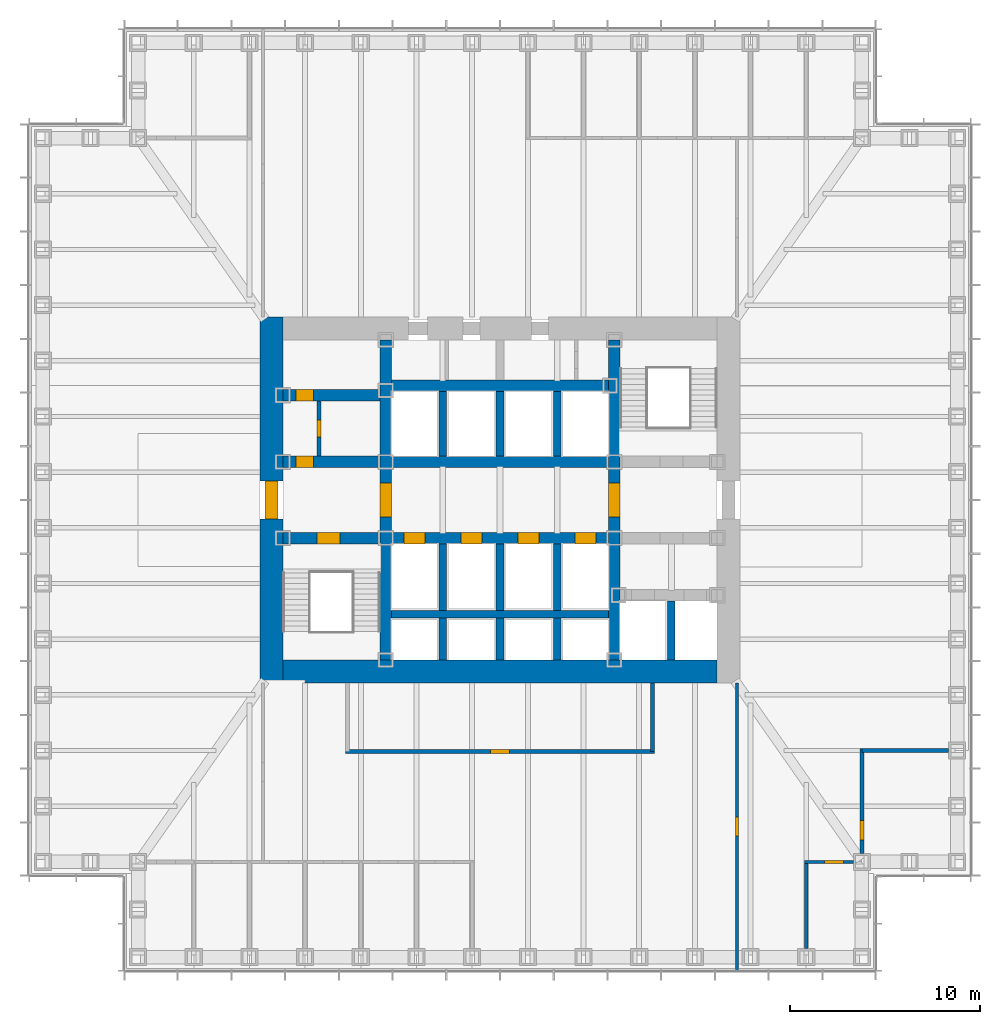
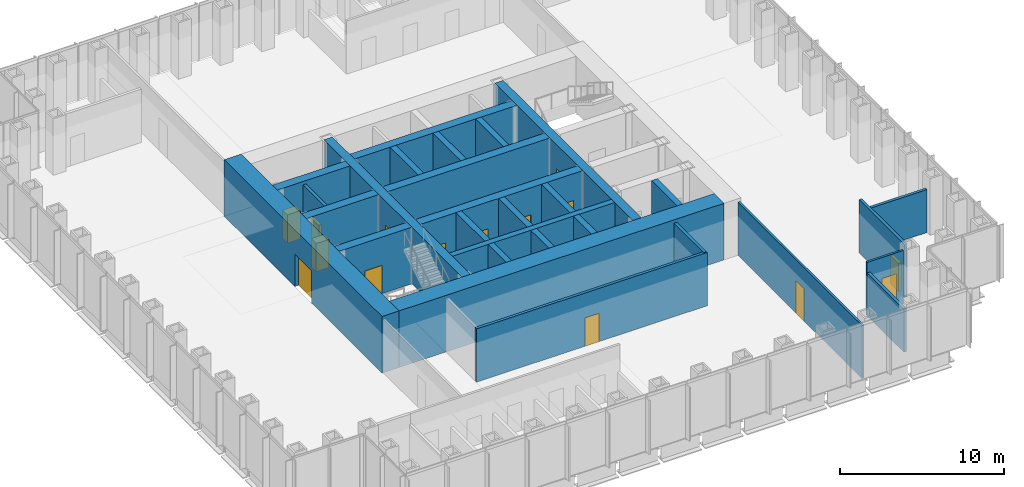
# One storey, part 9 of 17: 29 walls, 15 doors, 15 openings.
"""IFC4 building model written with IfcOpenShell, lengths in metres."""

from ifc_helpers import new_model, si_unit, direction, frame, frame_2d, origin, place, context, subcontext, project, spatial, rectangle, extrude, material, layer, layer_set, type_object, element, fill, save


model = new_model("IFC4")

# Units and contexts
model_context = context("Model", 3, precision=1e-05, world=origin(), true_north=direction((0.0, 1.0)))
body_context = subcontext(model_context, "Body", "Model", "MODEL_VIEW")
ifc_project = project(units=[si_unit("LENGTHUNIT", "METRE"), si_unit("AREAUNIT", "SQUARE_METRE"), si_unit("VOLUMEUNIT", "CUBIC_METRE"), si_unit("PLANEANGLEUNIT", "RADIAN"), si_unit("MASSUNIT", "GRAM", prefix="KILO")], contexts=[model_context])

# Site, building, storey
site_placement = place(None, origin())
site = spatial("IfcSite", under=ifc_project, at=site_placement, CompositionType="ELEMENT")
building_placement = place(site_placement, origin())
building = spatial("IfcBuilding", under=site, at=building_placement, Name="Daluyong Arena Tower", CompositionType="ELEMENT")
storey_placement = place(building_placement, frame((0.0, 0.0, 97.89990234375)))
storey = spatial("IfcBuildingStorey", under=building, at=storey_placement, Name="L21", CompositionType="ELEMENT", Elevation=97.89990234375)

# Wall, opening, door
ifc_material_1 = material(Name="Concrete fc' 60 MPa", Category="concrete")
ifc_layer_1 = layer(ifc_material_1, 0.60009765625)
ifc_layer_set_1 = layer_set([ifc_layer_1], Name="Concrete fc' 60 MPa")
wall_type_1 = type_object("IfcWallType", Name="Core inner wall 600", PredefinedType="SHEAR", material=ifc_layer_set_1)
wall_1_placement = place(storey_placement, frame((50.0, 71.60009765625, 0.0), z_axis=(0.0, 0.0, 1.0), x_axis=(0.0, 1.0, 0.0)))
wall_1 = element("IfcWall", 1, at=wall_1_placement, inside=storey, type_object=wall_type_1, Name="core inner wall at L21", PredefinedType="SHEAR", context=body_context, shape_type="SweptSolid", body=[
    extrude(rectangle(XDim=16.7998046875, YDim=0.60009765625, at=frame_2d((8.39990234375, 0.0))), origin(), (0.0, 0.0, 1.0), 4.2001953125),
])
opening_1_placement = place(wall_1_placement, frame((7.5, 0.0, 0.0)))
opening_1 = element("IfcOpeningElement", 2, at=opening_1_placement, cuts=wall_1, Name="Opening 21012", PredefinedType="OPENING", context=body_context, shape_type="SweptSolid", body=[
    extrude(rectangle(XDim=1.800048828125, YDim=2.39990234375, at=frame_2d((0.89990234375, 1.199951171875))), frame((0.0, 0.31005859375, 0.0), z_axis=(0.0, -1.0, 0.0), x_axis=(1.0, 0.0, 0.0)), (0.0, 0.0, 1.0), 0.6201171875),
])
ifc_material_2 = material(Name="Steel door, fire rated", Category="steel")
door_type_1 = type_object("IfcDoorType", Name="Lift lobby opening door 1800", OperationType="DOUBLE_DOOR_SINGLE_SWING", PredefinedType="DOOR", material=ifc_material_2)
door_1_placement = place(opening_1_placement, origin())
door_1 = element("IfcDoor", 3, at=door_1_placement, inside=storey, type_object=door_type_1, Name="lift lobby door west 21012", OperationType="DOUBLE_DOOR_SINGLE_SWING", OverallHeight=2.39990234375, OverallWidth=1.800048828125, PredefinedType="DOOR", context=body_context, shape_type="SweptSolid", body=[
    extrude(rectangle(XDim=1.800048828125, YDim=2.39990234375, at=frame_2d((0.89990234375, 1.199951171875))), frame((0.0, 0.2998046875, 0.0), z_axis=(0.0, -1.0, 0.0), x_axis=(1.0, 0.0, 0.0)), (0.0, 0.0, 1.0), 0.599609375),
])
fill(opening_1, door_1)

wall_2_placement = place(storey_placement, frame((62.0, 71.60009765625, 0.0), z_axis=(0.0, 0.0, 1.0), x_axis=(0.0, 1.0, 0.0)))
wall_2 = element("IfcWall", 4, at=wall_2_placement, inside=storey, type_object=wall_type_1, Name="core inner wall at L21", PredefinedType="SHEAR", context=body_context, shape_type="SweptSolid", body=[
    extrude(rectangle(XDim=16.7998046875, YDim=0.60009765625, at=frame_2d((8.39990234375, 0.0))), origin(), (0.0, 0.0, 1.0), 4.2001953125),
])
opening_2_placement = place(wall_2_placement, frame((7.5, 0.0, 0.0)))
opening_2 = element("IfcOpeningElement", 5, at=opening_2_placement, cuts=wall_2, Name="Opening 21013", PredefinedType="OPENING", context=body_context, shape_type="SweptSolid", body=[
    extrude(rectangle(XDim=1.800048828125, YDim=2.39990234375, at=frame_2d((0.89990234375, 1.199951171875))), frame((0.0, 0.31005859375, 0.0), z_axis=(0.0, -1.0, 0.0), x_axis=(1.0, 0.0, 0.0)), (0.0, 0.0, 1.0), 0.6201171875),
])
door_2_placement = place(opening_2_placement, origin())
door_2 = element("IfcDoor", 6, at=door_2_placement, inside=storey, type_object=door_type_1, Name="lift lobby door east 21013", OperationType="DOUBLE_DOOR_SINGLE_SWING", OverallHeight=2.39990234375, OverallWidth=1.800048828125, PredefinedType="DOOR", context=body_context, shape_type="SweptSolid", body=[
    extrude(rectangle(XDim=1.800048828125, YDim=2.39990234375, at=frame_2d((0.89990234375, 1.199951171875))), frame((0.0, 0.2998046875, 0.0), z_axis=(0.0, -1.0, 0.0), x_axis=(1.0, 0.0, 0.0)), (0.0, 0.0, 1.0), 0.599609375),
])
fill(opening_2, door_2)

wall_3_placement = place(storey_placement, frame((44.60009765625, 78.0, 0.0), z_axis=(0.0, 0.0, 1.0), x_axis=(1.0, 0.0, 0.0)))
wall_3 = element("IfcWall", 7, at=wall_3_placement, inside=storey, type_object=wall_type_1, Name="core inner wall at L21", PredefinedType="SHEAR", context=body_context, shape_type="SweptSolid", body=[
    extrude(rectangle(XDim=5.099853515625, YDim=0.60009765625, at=frame_2d((2.5498046875, 0.0))), origin(), (0.0, 0.0, 1.0), 4.2001953125),
])
opening_3_placement = place(wall_3_placement, frame((1.800048828125, 0.0, 0.0)))
opening_3 = element("IfcOpeningElement", 8, at=opening_3_placement, cuts=wall_3, Name="Opening 21008", PredefinedType="OPENING", context=body_context, shape_type="SweptSolid", body=[
    extrude(rectangle(XDim=1.199951171875, YDim=2.10009765625, at=frame_2d((0.60009765625, 1.050048828125))), frame((0.0, 0.31005859375, 0.0), z_axis=(0.0, -1.0, 0.0), x_axis=(1.0, 0.0, 0.0)), (0.0, 0.0, 1.0), 0.6201171875),
])
ifc_material_3 = material(Name="Steel door, fire rated", Category="steel")
door_type_2 = type_object("IfcDoorType", Name="Stair door 1200", OperationType="SINGLE_SWING_LEFT", PredefinedType="DOOR", material=ifc_material_3)
door_3_placement = place(opening_3_placement, origin())
door_3 = element("IfcDoor", 9, at=door_3_placement, inside=storey, type_object=door_type_2, Name="stair A door 21008", OperationType="SINGLE_SWING_LEFT", OverallHeight=2.10009765625, OverallWidth=1.199951171875, PredefinedType="DOOR", context=body_context, shape_type="SweptSolid", body=[
    extrude(rectangle(XDim=1.199951171875, YDim=2.10009765625, at=frame_2d((0.60009765625, 1.050048828125))), frame((0.0, 0.2998046875, 0.0), z_axis=(0.0, -1.0, 0.0), x_axis=(1.0, 0.0, 0.0)), (0.0, 0.0, 1.0), 0.599609375),
])
fill(opening_3, door_3)

wall_4_placement = place(storey_placement, frame((44.60009765625, 82.0, 0.0), z_axis=(0.0, 0.0, 1.0), x_axis=(1.0, 0.0, 0.0)))
wall_4 = element("IfcWall", 10, at=wall_4_placement, inside=storey, type_object=wall_type_1, Name="core inner wall at L21", PredefinedType="SHEAR", context=body_context, shape_type="SweptSolid", body=[
    extrude(rectangle(XDim=5.099853515625, YDim=0.60009765625, at=frame_2d((2.5498046875, 0.0))), origin(), (0.0, 0.0, 1.0), 4.2001953125),
])
opening_4_placement = place(wall_4_placement, frame((0.699951171875, 0.0, 0.0)))
opening_4 = element("IfcOpeningElement", 11, at=opening_4_placement, cuts=wall_4, Name="Opening 21001", PredefinedType="OPENING", context=body_context, shape_type="SweptSolid", body=[
    extrude(rectangle(XDim=0.89990234375, YDim=2.10009765625, at=frame_2d((0.449951171875, 1.050048828125))), frame((0.0, 0.31005859375, 0.0), z_axis=(0.0, -1.0, 0.0), x_axis=(1.0, 0.0, 0.0)), (0.0, 0.0, 1.0), 0.6201171875),
])
ifc_material_4 = material(Name="Steel door, fire rated", Category="steel")
door_type_3 = type_object("IfcDoorType", Name="Core room door 900", OperationType="SINGLE_SWING_LEFT", PredefinedType="DOOR", material=ifc_material_4)
door_4_placement = place(opening_4_placement, origin())
door_4 = element("IfcDoor", 12, at=door_4_placement, inside=storey, type_object=door_type_3, Name="toilet lobby door 21001", OperationType="SINGLE_SWING_LEFT", OverallHeight=2.10009765625, OverallWidth=0.89990234375, PredefinedType="DOOR", context=body_context, shape_type="SweptSolid", body=[
    extrude(rectangle(XDim=0.89990234375, YDim=2.10009765625, at=frame_2d((0.449951171875, 1.050048828125))), frame((0.0, 0.2998046875, 0.0), z_axis=(0.0, -1.0, 0.0), x_axis=(1.0, 0.0, 0.0)), (0.0, 0.0, 1.0), 0.599609375),
])
fill(opening_4, door_4)

wall_5_placement = place(storey_placement, frame((44.60009765625, 85.5, 0.0), z_axis=(0.0, 0.0, 1.0), x_axis=(1.0, 0.0, 0.0)))
wall_5 = element("IfcWall", 13, at=wall_5_placement, inside=storey, type_object=wall_type_1, Name="core inner wall at L21", PredefinedType="SHEAR", context=body_context, shape_type="SweptSolid", body=[
    extrude(rectangle(XDim=5.099853515625, YDim=0.60009765625, at=frame_2d((2.5498046875, 0.0))), origin(), (0.0, 0.0, 1.0), 4.2001953125),
])
opening_5_placement = place(wall_5_placement, frame((0.699951171875, 0.0, 0.0)))
opening_5 = element("IfcOpeningElement", 14, at=opening_5_placement, cuts=wall_5, Name="Opening 21003", PredefinedType="OPENING", context=body_context, shape_type="SweptSolid", body=[
    extrude(rectangle(XDim=0.89990234375, YDim=2.10009765625, at=frame_2d((0.449951171875, 1.050048828125))), frame((0.0, 0.31005859375, 0.0), z_axis=(0.0, -1.0, 0.0), x_axis=(1.0, 0.0, 0.0)), (0.0, 0.0, 1.0), 0.6201171875),
])
ifc_material_5 = material(Name="Timber door", Category="wood")
door_type_4 = type_object("IfcDoorType", Name="Toilet door 900", OperationType="SINGLE_SWING_RIGHT", PredefinedType="DOOR", material=ifc_material_5)
door_5_placement = place(opening_5_placement, origin())
door_5 = element("IfcDoor", 15, at=door_5_placement, inside=storey, type_object=door_type_4, Name="female toilet door 21003", OperationType="SINGLE_SWING_RIGHT", OverallHeight=2.10009765625, OverallWidth=0.89990234375, PredefinedType="DOOR", context=body_context, shape_type="SweptSolid", body=[
    extrude(rectangle(XDim=0.89990234375, YDim=2.10009765625, at=frame_2d((0.449951171875, 1.050048828125))), frame((0.0, 0.2998046875, 0.0), z_axis=(0.0, -1.0, 0.0), x_axis=(1.0, 0.0, 0.0)), (0.0, 0.0, 1.0), 0.599609375),
])
fill(opening_5, door_5)

# Wall, openings, doors
wall_6_placement = place(storey_placement, frame((50.300048828125, 78.0, 0.0), z_axis=(0.0, 0.0, 1.0), x_axis=(1.0, 0.0, 0.0)))
wall_6 = element("IfcWall", 16, at=wall_6_placement, inside=storey, type_object=wall_type_1, Name="core inner wall at L21", PredefinedType="SHEAR", context=body_context, shape_type="SweptSolid", body=[
    extrude(rectangle(XDim=11.39990234375, YDim=0.60009765625, at=frame_2d((5.699951171875, 0.0))), origin(), (0.0, 0.0, 1.0), 4.2001953125),
])
opening_6_placement = place(wall_6_placement, frame((0.64990234375, 0.0, 0.0)))
opening_6 = element("IfcOpeningElement", 17, at=opening_6_placement, cuts=wall_6, Name="Opening 21015", PredefinedType="OPENING", context=body_context, shape_type="SweptSolid", body=[
    extrude(rectangle(XDim=1.10009765625, YDim=2.199951171875, at=frame_2d((0.550048828125, 1.10009765625))), frame((0.0, 0.31005859375, 0.0), z_axis=(0.0, -1.0, 0.0), x_axis=(1.0, 0.0, 0.0)), (0.0, 0.0, 1.0), 0.6201171875),
])
opening_7_placement = place(wall_6_placement, frame((3.64990234375, 0.0, 0.0)))
opening_7 = element("IfcOpeningElement", 18, at=opening_7_placement, cuts=wall_6, Name="Opening 21016", PredefinedType="OPENING", context=body_context, shape_type="SweptSolid", body=[
    extrude(rectangle(XDim=1.10009765625, YDim=2.199951171875, at=frame_2d((0.550048828125, 1.10009765625))), frame((0.0, 0.31005859375, 0.0), z_axis=(0.0, -1.0, 0.0), x_axis=(1.0, 0.0, 0.0)), (0.0, 0.0, 1.0), 0.6201171875),
])
opening_8_placement = place(wall_6_placement, frame((6.64990234375, 0.0, 0.0)))
opening_8 = element("IfcOpeningElement", 19, at=opening_8_placement, cuts=wall_6, Name="Opening 21017", PredefinedType="OPENING", context=body_context, shape_type="SweptSolid", body=[
    extrude(rectangle(XDim=1.10009765625, YDim=2.199951171875, at=frame_2d((0.550048828125, 1.10009765625))), frame((0.0, 0.31005859375, 0.0), z_axis=(0.0, -1.0, 0.0), x_axis=(1.0, 0.0, 0.0)), (0.0, 0.0, 1.0), 0.6201171875),
])
opening_9_placement = place(wall_6_placement, frame((9.64990234375, 0.0, 0.0)))
opening_9 = element("IfcOpeningElement", 20, at=opening_9_placement, cuts=wall_6, Name="Opening 21018", PredefinedType="OPENING", context=body_context, shape_type="SweptSolid", body=[
    extrude(rectangle(XDim=1.10009765625, YDim=2.199951171875, at=frame_2d((0.550048828125, 1.10009765625))), frame((0.0, 0.31005859375, 0.0), z_axis=(0.0, -1.0, 0.0), x_axis=(1.0, 0.0, 0.0)), (0.0, 0.0, 1.0), 0.6201171875),
])
ifc_material_6 = material(Name="Steel door, fire rated", Category="steel")
door_type_5 = type_object("IfcDoorType", Name="Lift landing door 1100", OperationType="SLIDING_TO_LEFT", PredefinedType="DOOR", material=ifc_material_6)
door_6_placement = place(opening_6_placement, origin())
door_6 = element("IfcDoor", 21, at=door_6_placement, inside=storey, type_object=door_type_5, Name="lift landing door A1 21015", OperationType="SLIDING_TO_LEFT", OverallHeight=2.199951171875, OverallWidth=1.10009765625, PredefinedType="DOOR", context=body_context, shape_type="SweptSolid", body=[
    extrude(rectangle(XDim=1.10009765625, YDim=2.199951171875, at=frame_2d((0.550048828125, 1.10009765625))), frame((0.0, 0.2998046875, 0.0), z_axis=(0.0, -1.0, 0.0), x_axis=(1.0, 0.0, 0.0)), (0.0, 0.0, 1.0), 0.599609375),
])
fill(opening_6, door_6)
door_7_placement = place(opening_7_placement, origin())
door_7 = element("IfcDoor", 22, at=door_7_placement, inside=storey, type_object=door_type_5, Name="lift landing door A2 21016", OperationType="SLIDING_TO_LEFT", OverallHeight=2.199951171875, OverallWidth=1.10009765625, PredefinedType="DOOR", context=body_context, shape_type="SweptSolid", body=[
    extrude(rectangle(XDim=1.10009765625, YDim=2.199951171875, at=frame_2d((0.550048828125, 1.10009765625))), frame((0.0, 0.2998046875, 0.0), z_axis=(0.0, -1.0, 0.0), x_axis=(1.0, 0.0, 0.0)), (0.0, 0.0, 1.0), 0.599609375),
])
fill(opening_7, door_7)
door_8_placement = place(opening_8_placement, origin())
door_8 = element("IfcDoor", 23, at=door_8_placement, inside=storey, type_object=door_type_5, Name="lift landing door A3 21017", OperationType="SLIDING_TO_LEFT", OverallHeight=2.199951171875, OverallWidth=1.10009765625, PredefinedType="DOOR", context=body_context, shape_type="SweptSolid", body=[
    extrude(rectangle(XDim=1.10009765625, YDim=2.199951171875, at=frame_2d((0.550048828125, 1.10009765625))), frame((0.0, 0.2998046875, 0.0), z_axis=(0.0, -1.0, 0.0), x_axis=(1.0, 0.0, 0.0)), (0.0, 0.0, 1.0), 0.599609375),
])
fill(opening_8, door_8)
door_9_placement = place(opening_9_placement, origin())
door_9 = element("IfcDoor", 24, at=door_9_placement, inside=storey, type_object=door_type_5, Name="lift landing door A4 21018", OperationType="SLIDING_TO_LEFT", OverallHeight=2.199951171875, OverallWidth=1.10009765625, PredefinedType="DOOR", context=body_context, shape_type="SweptSolid", body=[
    extrude(rectangle(XDim=1.10009765625, YDim=2.199951171875, at=frame_2d((0.550048828125, 1.10009765625))), frame((0.0, 0.2998046875, 0.0), z_axis=(0.0, -1.0, 0.0), x_axis=(1.0, 0.0, 0.0)), (0.0, 0.0, 1.0), 0.599609375),
])
fill(opening_9, door_9)

# Walls
for number, where, z_axis, x_axis, name in (
    (25, (50.300048828125, 82.0, 0.0), (0.0, 0.0, 1.0), (1.0, 0.0, 0.0), "core inner wall at L21"),
    (26, (50.300048828125, 86.0, 0.0), (0.0, 0.0, 1.0), (1.0, 0.0, 0.0), "core inner wall at L21"),
):
    element("IfcWall", number, at=place(storey_placement, frame(where, z_axis=z_axis, x_axis=x_axis)), inside=storey, type_object=wall_type_1, Name=name, PredefinedType="SHEAR", context=body_context, shape_type="SweptSolid", body=[
        extrude(rectangle(XDim=11.39990234375, YDim=0.60009765625, at=frame_2d((5.699951171875, 0.0))), origin(), (0.0, 0.0, 1.0), 4.2001953125),
    ])

# Wall, opening, door
ifc_material_7 = material(Name="Concrete fc' 60 MPa", Category="concrete")
ifc_layer_2 = layer(ifc_material_7, 1.199951171875)
ifc_layer_set_2 = layer_set([ifc_layer_2], Name="Concrete fc' 60 MPa")
wall_type_2 = type_object("IfcWallType", Name="Core wall 1200", PredefinedType="SHEAR", material=ifc_layer_set_2)
wall_7_placement = place(storey_placement, frame((44.0, 70.39990234375, 0.0), z_axis=(0.0, 0.0, 1.0), x_axis=(0.0, 1.0, 0.0)))
wall_7 = element("IfcWall", 27, at=wall_7_placement, inside=storey, type_object=wall_type_2, Name="core wall at L21", PredefinedType="SHEAR", context=body_context, shape_type="SweptSolid", body=[
    extrude(rectangle(XDim=19.2001953125, YDim=1.199951171875, at=frame_2d((9.60009765625, 0.0))), origin(), (0.0, 0.0, 1.0), 4.2001953125),
])
opening_10_placement = place(wall_7_placement, frame((8.60009765625, 0.0, 0.0)))
opening_10 = element("IfcOpeningElement", 28, at=opening_10_placement, cuts=wall_7, Name="Opening 21010", PredefinedType="OPENING", context=body_context, shape_type="SweptSolid", body=[
    extrude(rectangle(XDim=2.0, YDim=2.39990234375, at=frame_2d((1.0, 1.199951171875))), frame((0.0, 0.60986328125, 0.0), z_axis=(0.0, -1.0, 0.0), x_axis=(1.0, 0.0, 0.0)), (0.0, 0.0, 1.0), 1.219970703125),
])
ifc_material_8 = material(Name="Steel door, fire rated", Category="steel")
door_type_6 = type_object("IfcDoorType", Name="Core lobby double door 2000", OperationType="DOUBLE_DOOR_SINGLE_SWING", PredefinedType="DOOR", material=ifc_material_8)
door_10_placement = place(opening_10_placement, origin())
door_10 = element("IfcDoor", 29, at=door_10_placement, inside=storey, type_object=door_type_6, Name="core lobby door west 21010", OperationType="DOUBLE_DOOR_SINGLE_SWING", OverallHeight=2.39990234375, OverallWidth=2.0, PredefinedType="DOOR", context=body_context, shape_type="SweptSolid", body=[
    extrude(rectangle(XDim=2.0, YDim=2.39990234375, at=frame_2d((1.0, 1.199951171875))), frame((0.0, 0.35009765625, 0.0), z_axis=(0.0, -1.0, 0.0), x_axis=(1.0, 0.0, 0.0)), (0.0, 0.0, 1.0), 0.699951171875),
])
fill(opening_10, door_10)

# Wall
wall_8_placement = place(storey_placement, frame((44.60009765625, 71.0, 0.0), z_axis=(0.0, 0.0, 1.0), x_axis=(1.0, 0.0, 0.0)))
element("IfcWall", 30, at=wall_8_placement, inside=storey, type_object=wall_type_2, Name="core wall at L21", PredefinedType="SHEAR", context=body_context, shape_type="SweptSolid", body=[
    extrude(rectangle(XDim=22.7998046875, YDim=1.199951171875, at=frame_2d((11.39990234375, 0.0))), origin(), (0.0, 0.0, 1.0), 4.2001953125),
])

# Wall, opening, door
ifc_material_9 = material(Name="Concrete block partition, fire rated", Category="concrete")
ifc_layer_3 = layer(ifc_material_9, 0.199951171875)
ifc_layer_set_3 = layer_set([ifc_layer_3], Name="Concrete block partition, fire rated")
wall_type_3 = type_object("IfcWallType", Name="Fire-rated partition 200", PredefinedType="PARTITIONING", material=ifc_layer_set_3)
wall_9_placement = place(storey_placement, frame((46.5, 82.300048828125, 0.0), z_axis=(0.0, 0.0, 1.0), x_axis=(0.0, 1.0, 0.0)))
wall_9 = element("IfcWall", 31, at=wall_9_placement, inside=storey, type_object=wall_type_3, Name="toilet lobby partition at L21", PredefinedType="PARTITIONING", context=body_context, shape_type="SweptSolid", body=[
    extrude(rectangle(XDim=2.89990234375, YDim=0.199951171875, at=frame_2d((1.449951171875, 0.0))), origin(), (0.0, 0.0, 1.0), 3.9501953125),
])
opening_11_placement = place(wall_9_placement, frame((1.0, 0.0, 0.0)))
opening_11 = element("IfcOpeningElement", 32, at=opening_11_placement, cuts=wall_9, Name="Opening 21002", PredefinedType="OPENING", context=body_context, shape_type="SweptSolid", body=[
    extrude(rectangle(XDim=0.89990234375, YDim=2.10009765625, at=frame_2d((0.449951171875, 1.050048828125))), frame((0.0, 0.10986328125, 0.0), z_axis=(0.0, -1.0, 0.0), x_axis=(1.0, 0.0, 0.0)), (0.0, 0.0, 1.0), 0.219970703125),
])
door_11_placement = place(opening_11_placement, origin())
door_11 = element("IfcDoor", 33, at=door_11_placement, inside=storey, type_object=door_type_4, Name="male toilet door 21002", OperationType="SINGLE_SWING_RIGHT", OverallHeight=2.10009765625, OverallWidth=0.89990234375, PredefinedType="DOOR", context=body_context, shape_type="SweptSolid", body=[
    extrude(rectangle(XDim=0.89990234375, YDim=2.10009765625, at=frame_2d((0.449951171875, 1.050048828125))), frame((0.0, 0.099609375, 0.0), z_axis=(0.0, -1.0, 0.0), x_axis=(1.0, 0.0, 0.0)), (0.0, 0.0, 1.0), 0.199462890625),
])
fill(opening_11, door_11)

ifc_material_10 = material(Name="Glazed aluminium partition", Category="aluminium")
ifc_layer_4 = layer(ifc_material_10, 0.14990234375)
ifc_layer_set_4 = layer_set([ifc_layer_4], Name="Glazed aluminium partition")
wall_type_4 = type_object("IfcWallType", Name="Glazed partition 150", PredefinedType="PARTITIONING", material=ifc_layer_set_4)
wall_10_placement = place(storey_placement, frame((71.976806640625, 61.0, 0.0), z_axis=(0.0, 0.0, 1.0), x_axis=(1.0, 0.0, 0.0)))
wall_10 = element("IfcWall", 34, at=wall_10_placement, inside=storey, type_object=wall_type_4, Name="glazed partition at L21", PredefinedType="PARTITIONING", context=body_context, shape_type="SweptSolid", body=[
    extrude(rectangle(XDim=2.5732421875, YDim=0.14990234375, at=frame_2d((1.28662109375, 0.0))), origin(), (0.0, 0.0, 1.0), 3.9501953125),
])
opening_12_placement = place(wall_10_placement, frame((1.0615234375, 0.0, 0.0)))
opening_12 = element("IfcOpeningElement", 35, at=opening_12_placement, cuts=wall_10, Name="Opening 21027", PredefinedType="OPENING", context=body_context, shape_type="SweptSolid", body=[
    extrude(rectangle(XDim=1.0, YDim=2.39990234375, at=frame_2d((0.5, 1.199951171875))), frame((0.0, 0.0849609375, 0.0), z_axis=(0.0, -1.0, 0.0), x_axis=(1.0, 0.0, 0.0)), (0.0, 0.0, 1.0), 0.169921875),
])
ifc_material_11 = material(Name="Glazed aluminium door", Category="aluminium")
door_type_7 = type_object("IfcDoorType", Name="Meeting room glazed door 1000", OperationType="SINGLE_SWING_RIGHT", PredefinedType="DOOR", material=ifc_material_11)
door_12_placement = place(opening_12_placement, origin())
door_12 = element("IfcDoor", 36, at=door_12_placement, inside=storey, type_object=door_type_7, Name="focus room door 21027", OperationType="SINGLE_SWING_RIGHT", OverallHeight=2.39990234375, OverallWidth=1.0, PredefinedType="DOOR", context=body_context, shape_type="SweptSolid", body=[
    extrude(rectangle(XDim=1.0, YDim=2.39990234375, at=frame_2d((0.5, 1.199951171875))), frame((0.0, 0.07470703125, 0.0), z_axis=(0.0, -1.0, 0.0), x_axis=(1.0, 0.0, 0.0)), (0.0, 0.0, 1.0), 0.1494140625),
])
fill(opening_12, door_12)

wall_11_placement = place(storey_placement, frame((68.449951171875, 55.31005859375, 0.0), z_axis=(0.0, 0.0, 1.0), x_axis=(0.0, 1.0, 0.0)))
wall_11 = element("IfcWall", 37, at=wall_11_placement, inside=storey, type_object=wall_type_4, Name="glazed partition at L21", PredefinedType="PARTITIONING", context=body_context, shape_type="SweptSolid", body=[
    extrude(rectangle(XDim=15.08984375, YDim=0.14990234375, at=frame_2d((7.544921875, 0.0))), origin(), (0.0, 0.0, 1.0), 3.9501953125),
])
opening_13_placement = place(wall_11_placement, frame((7.044921875, 0.0, 0.0)))
opening_13 = element("IfcOpeningElement", 38, at=opening_13_placement, cuts=wall_11, Name="Opening 21038", PredefinedType="OPENING", context=body_context, shape_type="SweptSolid", body=[
    extrude(rectangle(XDim=1.0, YDim=2.39990234375, at=frame_2d((0.5, 1.199951171875))), frame((0.0, 0.0849609375, 0.0), z_axis=(0.0, -1.0, 0.0), x_axis=(1.0, 0.0, 0.0)), (0.0, 0.0, 1.0), 0.169921875),
])
door_13_placement = place(opening_13_placement, origin())
door_13 = element("IfcDoor", 39, at=door_13_placement, inside=storey, type_object=door_type_7, Name="team area screen door 21038", OperationType="SINGLE_SWING_RIGHT", OverallHeight=2.39990234375, OverallWidth=1.0, PredefinedType="DOOR", context=body_context, shape_type="SweptSolid", body=[
    extrude(rectangle(XDim=1.0, YDim=2.39990234375, at=frame_2d((0.5, 1.199951171875))), frame((0.0, 0.07470703125, 0.0), z_axis=(0.0, -1.0, 0.0), x_axis=(1.0, 0.0, 0.0)), (0.0, 0.0, 1.0), 0.1494140625),
])
fill(opening_13, door_13)

# Walls
ifc_material_12 = material(Name="Concrete fc' 45 MPa", Category="concrete")
ifc_layer_5 = layer(ifc_material_12, 0.39990234375)
ifc_layer_set_5 = layer_set([ifc_layer_5], Name="Concrete fc' 45 MPa")
wall_type_5 = type_object("IfcWallType", Name="Lift shaft wall 400", PredefinedType="SHEAR", material=ifc_layer_set_5)
wall_12_placement = place(storey_placement, frame((50.300048828125, 74.0, 0.0), z_axis=(0.0, 0.0, 1.0), x_axis=(1.0, 0.0, 0.0)))
element("IfcWall", 40, at=wall_12_placement, inside=storey, type_object=wall_type_5, Name="lift shaft wall at L21", PredefinedType="SHEAR", context=body_context, shape_type="SweptSolid", body=[
    extrude(rectangle(XDim=11.39990234375, YDim=0.39990234375, at=frame_2d((5.699951171875, 0.0))), origin(), (0.0, 0.0, 1.0), 4.2001953125),
])
wall_13_placement = place(storey_placement, frame((53.0, 71.60009765625, 0.0), z_axis=(0.0, 0.0, 1.0), x_axis=(0.0, 1.0, 0.0)))
element("IfcWall", 41, at=wall_13_placement, inside=storey, type_object=wall_type_5, Name="lift shaft wall at L21", PredefinedType="SHEAR", context=body_context, shape_type="SweptSolid", body=[
    extrude(rectangle(XDim=2.199951171875, YDim=0.39990234375, at=frame_2d((1.10009765625, 0.0))), origin(), (0.0, 0.0, 1.0), 4.2001953125),
])
wall_14_placement = place(storey_placement, frame((53.0, 74.199951171875, 0.0), z_axis=(0.0, 0.0, 1.0), x_axis=(0.0, 1.0, 0.0)))
element("IfcWall", 42, at=wall_14_placement, inside=storey, type_object=wall_type_5, Name="lift shaft wall at L21", PredefinedType="SHEAR", context=body_context, shape_type="SweptSolid", body=[
    extrude(rectangle(XDim=3.5, YDim=0.39990234375, at=frame_2d((1.75, 0.0))), origin(), (0.0, 0.0, 1.0), 4.2001953125),
])
wall_15_placement = place(storey_placement, frame((53.0, 82.300048828125, 0.0), z_axis=(0.0, 0.0, 1.0), x_axis=(0.0, 1.0, 0.0)))
element("IfcWall", 43, at=wall_15_placement, inside=storey, type_object=wall_type_5, Name="lift shaft wall at L21", PredefinedType="SHEAR", context=body_context, shape_type="SweptSolid", body=[
    extrude(rectangle(XDim=3.39990234375, YDim=0.39990234375, at=frame_2d((1.699951171875, 0.0))), origin(), (0.0, 0.0, 1.0), 4.2001953125),
])
wall_16_placement = place(storey_placement, frame((56.0, 71.60009765625, 0.0), z_axis=(0.0, 0.0, 1.0), x_axis=(0.0, 1.0, 0.0)))
element("IfcWall", 44, at=wall_16_placement, inside=storey, type_object=wall_type_5, Name="lift shaft wall at L21", PredefinedType="SHEAR", context=body_context, shape_type="SweptSolid", body=[
    extrude(rectangle(XDim=2.199951171875, YDim=0.39990234375, at=frame_2d((1.10009765625, 0.0))), origin(), (0.0, 0.0, 1.0), 4.2001953125),
])
wall_17_placement = place(storey_placement, frame((56.0, 74.199951171875, 0.0), z_axis=(0.0, 0.0, 1.0), x_axis=(0.0, 1.0, 0.0)))
element("IfcWall", 45, at=wall_17_placement, inside=storey, type_object=wall_type_5, Name="lift shaft wall at L21", PredefinedType="SHEAR", context=body_context, shape_type="SweptSolid", body=[
    extrude(rectangle(XDim=3.5, YDim=0.39990234375, at=frame_2d((1.75, 0.0))), origin(), (0.0, 0.0, 1.0), 4.2001953125),
])
wall_18_placement = place(storey_placement, frame((56.0, 82.300048828125, 0.0), z_axis=(0.0, 0.0, 1.0), x_axis=(0.0, 1.0, 0.0)))
element("IfcWall", 46, at=wall_18_placement, inside=storey, type_object=wall_type_5, Name="lift shaft wall at L21", PredefinedType="SHEAR", context=body_context, shape_type="SweptSolid", body=[
    extrude(rectangle(XDim=3.39990234375, YDim=0.39990234375, at=frame_2d((1.699951171875, 0.0))), origin(), (0.0, 0.0, 1.0), 4.2001953125),
])
wall_19_placement = place(storey_placement, frame((59.0, 71.60009765625, 0.0), z_axis=(0.0, 0.0, 1.0), x_axis=(0.0, 1.0, 0.0)))
element("IfcWall", 47, at=wall_19_placement, inside=storey, type_object=wall_type_5, Name="lift shaft wall at L21", PredefinedType="SHEAR", context=body_context, shape_type="SweptSolid", body=[
    extrude(rectangle(XDim=2.199951171875, YDim=0.39990234375, at=frame_2d((1.10009765625, 0.0))), origin(), (0.0, 0.0, 1.0), 4.2001953125),
])
wall_20_placement = place(storey_placement, frame((59.0, 74.199951171875, 0.0), z_axis=(0.0, 0.0, 1.0), x_axis=(0.0, 1.0, 0.0)))
element("IfcWall", 48, at=wall_20_placement, inside=storey, type_object=wall_type_5, Name="lift shaft wall at L21", PredefinedType="SHEAR", context=body_context, shape_type="SweptSolid", body=[
    extrude(rectangle(XDim=3.5, YDim=0.39990234375, at=frame_2d((1.75, 0.0))), origin(), (0.0, 0.0, 1.0), 4.2001953125),
])
wall_21_placement = place(storey_placement, frame((59.0, 82.300048828125, 0.0), z_axis=(0.0, 0.0, 1.0), x_axis=(0.0, 1.0, 0.0)))
element("IfcWall", 49, at=wall_21_placement, inside=storey, type_object=wall_type_5, Name="lift shaft wall at L21", PredefinedType="SHEAR", context=body_context, shape_type="SweptSolid", body=[
    extrude(rectangle(XDim=3.39990234375, YDim=0.39990234375, at=frame_2d((1.699951171875, 0.0))), origin(), (0.0, 0.0, 1.0), 4.2001953125),
])
wall_22_placement = place(storey_placement, frame((65.0, 71.60009765625, 0.0), z_axis=(0.0, 0.0, 1.0), x_axis=(0.0, 1.0, 0.0)))
element("IfcWall", 50, at=wall_22_placement, inside=storey, type_object=wall_type_5, Name="lift shaft wall at L21", PredefinedType="SHEAR", context=body_context, shape_type="SweptSolid", body=[
    extrude(rectangle(XDim=3.099853515625, YDim=0.39990234375, at=frame_2d((1.5498046875, 0.0))), origin(), (0.0, 0.0, 1.0), 4.2001953125),
])
ifc_material_13 = material(Name="Concrete block partition", Category="concrete")
ifc_layer_6 = layer(ifc_material_13, 0.199951171875)
ifc_layer_set_6 = layer_set([ifc_layer_6], Name="Concrete block partition")
wall_type_6 = type_object("IfcWallType", Name="Partition 200", PredefinedType="PARTITIONING", material=ifc_layer_set_6)
for number, where, z_axis, x_axis, name in (
    (51, (72.076904296875, 56.449951171875, 0.0), (0.0, 0.0, 1.0), (0.0, 1.0, 0.0), "partition at L21"),
    (52, (75.0, 66.84619140625, 0.0), (0.0, 0.0, 1.0), (1.0, 0.0, 0.0), "partition at L21"),
):
    element("IfcWall", number, at=place(storey_placement, frame(where, z_axis=z_axis, x_axis=x_axis)), inside=storey, type_object=wall_type_6, Name=name, PredefinedType="PARTITIONING", context=body_context, shape_type="SweptSolid", body=[
        extrude(rectangle(XDim=4.550048828125, YDim=0.199951171875, at=frame_2d((2.27490234375, 0.0))), origin(), (0.0, 0.0, 1.0), 3.18798828125),
    ])
wall_23_placement = place(storey_placement, frame((64.0, 66.800048828125, 0.0), z_axis=(0.0, 0.0, 1.0), x_axis=(0.0, 1.0, 0.0)))
element("IfcWall", 53, at=wall_23_placement, inside=storey, type_object=wall_type_6, Name="partition at L21", PredefinedType="PARTITIONING", context=body_context, shape_type="SweptSolid", body=[
    extrude(rectangle(XDim=3.599853515625, YDim=0.199951171875, at=frame_2d((1.7998046875, 0.0))), origin(), (0.0, 0.0, 1.0), 3.9501953125),
])

# Wall, opening, door
wall_24_placement = place(storey_placement, frame((47.89990234375, 66.800048828125, 0.0), z_axis=(0.0, 0.0, 1.0), x_axis=(1.0, 0.0, 0.0)))
wall_24 = element("IfcWall", 54, at=wall_24_placement, inside=storey, type_object=wall_type_6, Name="partition at L21", PredefinedType="PARTITIONING", context=body_context, shape_type="SweptSolid", body=[
    extrude(rectangle(XDim=16.2001953125, YDim=0.199951171875, at=frame_2d((8.10009765625, 0.0))), origin(), (0.0, 0.0, 1.0), 3.9501953125),
])
opening_14_placement = place(wall_24_placement, frame((7.60009765625, 0.0, 0.0)))
opening_14 = element("IfcOpeningElement", 55, at=opening_14_placement, cuts=wall_24, Name="Opening 21036", PredefinedType="OPENING", context=body_context, shape_type="SweptSolid", body=[
    extrude(rectangle(XDim=1.0, YDim=2.10009765625, at=frame_2d((0.5, 1.050048828125))), frame((0.0, 0.10986328125, 0.0), z_axis=(0.0, -1.0, 0.0), x_axis=(1.0, 0.0, 0.0)), (0.0, 0.0, 1.0), 0.219970703125),
])
ifc_material_14 = material(Name="Timber door", Category="wood")
door_type_8 = type_object("IfcDoorType", Name="Room door 1000", OperationType="SINGLE_SWING_LEFT", PredefinedType="DOOR", material=ifc_material_14)
door_14_placement = place(opening_14_placement, origin())
door_14 = element("IfcDoor", 56, at=door_14_placement, inside=storey, type_object=door_type_8, Name="training room door 21036", OperationType="SINGLE_SWING_LEFT", OverallHeight=2.10009765625, OverallWidth=1.0, PredefinedType="DOOR", context=body_context, shape_type="SweptSolid", body=[
    extrude(rectangle(XDim=1.0, YDim=2.10009765625, at=frame_2d((0.5, 1.050048828125))), frame((0.0, 0.099609375, 0.0), z_axis=(0.0, -1.0, 0.0), x_axis=(1.0, 0.0, 0.0)), (0.0, 0.0, 1.0), 0.199462890625),
])
fill(opening_14, door_14)

wall_25_placement = place(storey_placement, frame((75.0, 61.449951171875, 0.0), z_axis=(0.0, 0.0, 1.0), x_axis=(0.0, 1.0, 0.0)))
wall_25 = element("IfcWall", 57, at=wall_25_placement, inside=storey, type_object=wall_type_6, Name="partition at L21", PredefinedType="PARTITIONING", context=body_context, shape_type="SweptSolid", body=[
    extrude(rectangle(XDim=5.49609375, YDim=0.199951171875, at=frame_2d((2.748046875, 0.0))), origin(), (0.0, 0.0, 1.0), 3.9501953125),
])
opening_15_placement = place(wall_25_placement, frame((0.71142578125, 0.0, 0.0)))
opening_15 = element("IfcOpeningElement", 58, at=opening_15_placement, cuts=wall_25, Name="Opening 21028", PredefinedType="OPENING", context=body_context, shape_type="SweptSolid", body=[
    extrude(rectangle(XDim=1.0, YDim=2.10009765625, at=frame_2d((0.5, 1.050048828125))), frame((0.0, 0.10986328125, 0.0), z_axis=(0.0, -1.0, 0.0), x_axis=(1.0, 0.0, 0.0)), (0.0, 0.0, 1.0), 0.219970703125),
])
door_15_placement = place(opening_15_placement, origin())
door_15 = element("IfcDoor", 59, at=door_15_placement, inside=storey, type_object=door_type_8, Name="pantry door 21028", OperationType="SINGLE_SWING_LEFT", OverallHeight=2.10009765625, OverallWidth=1.0, PredefinedType="DOOR", context=body_context, shape_type="SweptSolid", body=[
    extrude(rectangle(XDim=1.0, YDim=2.10009765625, at=frame_2d((0.5, 1.050048828125))), frame((0.0, 0.099609375, 0.0), z_axis=(0.0, -1.0, 0.0), x_axis=(1.0, 0.0, 0.0)), (0.0, 0.0, 1.0), 0.199462890625),
])
fill(opening_15, door_15)

save(model, "model.ifc")
